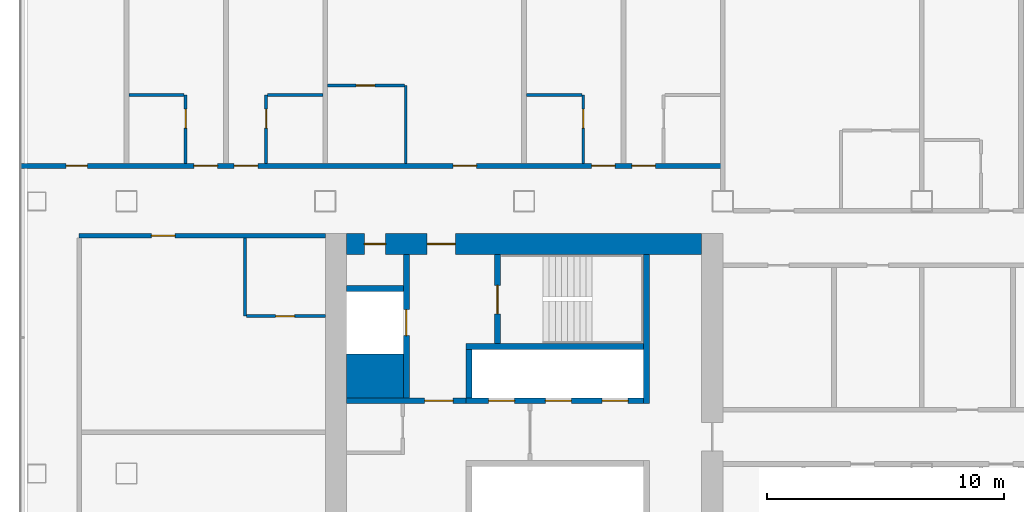
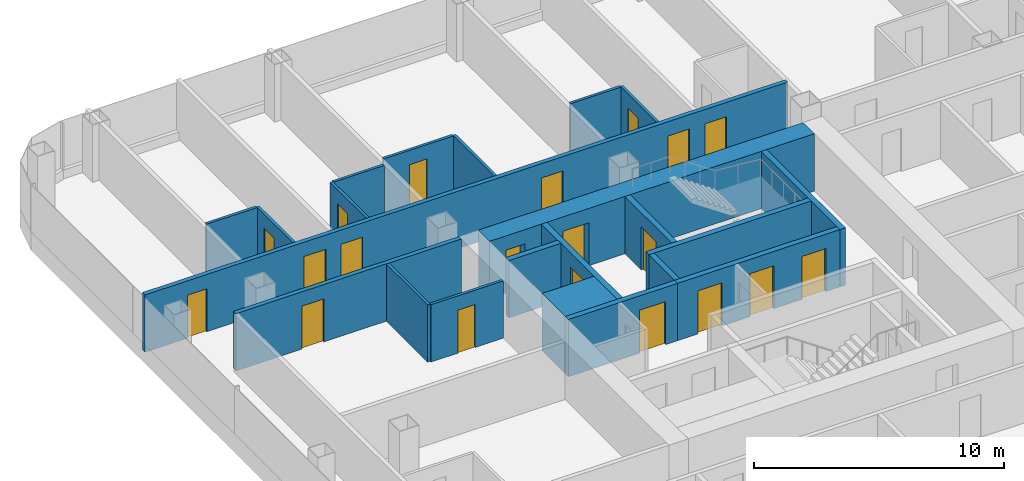
# One storey, part 16 of 29: 22 walls, 20 doors, 20 openings.
"""IFC4 building model written with IfcOpenShell, lengths in metres."""

from ifc_helpers import new_model, si_unit, direction, frame, frame_2d, origin, place, context, subcontext, project, spatial, rectangle, extrude, material, layer, layer_set, type_object, element, fill, save


model = new_model("IFC4")

# Units and contexts
model_context = context("Model", 3, precision=1e-05, world=origin(), true_north=direction((0.0, 1.0)))
body_context = subcontext(model_context, "Body", "Model", "MODEL_VIEW")
ifc_project = project(units=[si_unit("LENGTHUNIT", "METRE"), si_unit("AREAUNIT", "SQUARE_METRE"), si_unit("VOLUMEUNIT", "CUBIC_METRE"), si_unit("PLANEANGLEUNIT", "RADIAN"), si_unit("MASSUNIT", "GRAM", prefix="KILO")], contexts=[model_context])

# Site, building, storey
site_placement = place(None, origin())
site = spatial("IfcSite", under=ifc_project, at=site_placement, CompositionType="ELEMENT")
building_placement = place(site_placement, origin())
building = spatial("IfcBuilding", under=site, at=building_placement, Name="Hakoniwa Tower and Hamabe Station Hall", CompositionType="ELEMENT")
storey_placement = place(building_placement, frame((0.0, 0.0, 113.800048828125)))
storey = spatial("IfcBuildingStorey", under=building, at=storey_placement, Name="L32", CompositionType="ELEMENT", Elevation=113.800048828125)

# Wall, opening, door
ifc_material_1 = material(Name="Gypsum board partition", Category="gypsum")
ifc_layer_1 = layer(ifc_material_1, 0.125)
ifc_layer_set_1 = layer_set([ifc_layer_1], Name="Bathroom Partition 125")
wall_type_1 = type_object("IfcWallType", Name="Bathroom Partition 125", PredefinedType="PARTITIONING", material=ifc_layer_set_1)
wall_1_placement = place(storey_placement, frame((-36.9375, 4.89990234375, 0.0), z_axis=(0.0, 0.0, 1.0), x_axis=(1.0, 0.0, 0.0)))
wall_1 = element("IfcWall", 1, at=wall_1_placement, inside=storey, type_object=wall_type_1, Name="GW-L32-016", PredefinedType="PARTITIONING", context=body_context, shape_type="SweptSolid", body=[
    extrude(rectangle(XDim=3.33740234375, YDim=0.125, at=frame_2d((1.668701171875, 0.0))), origin(), (0.0, 0.0, 1.0), 2.800048828125),
])
opening_1_placement = place(wall_1_placement, frame((1.237548828125, 0.0, 0.0)))
opening_1 = element("IfcOpeningElement", 2, at=opening_1_placement, cuts=wall_1, Name="Opening GD-G2C2-28", PredefinedType="OPENING", context=body_context, shape_type="SweptSolid", body=[
    extrude(rectangle(XDim=0.800048828125, YDim=2.10009765625, at=frame_2d((0.39990234375, 1.050048828125))), frame((0.0, 0.072509765625, 0.0), z_axis=(0.0, -1.0, 0.0), x_axis=(1.0, 0.0, 0.0)), (0.0, 0.0, 1.0), 0.14501953125),
])
ifc_material_2 = material(Name="Timber door leaf", Category="wood")
door_type_1 = type_object("IfcDoorType", Name="Bathroom Door 800", OperationType="SINGLE_SWING_LEFT", PredefinedType="DOOR", material=ifc_material_2)
door_1_placement = place(opening_1_placement, origin())
door_1 = element("IfcDoor", 3, at=door_1_placement, inside=storey, type_object=door_type_1, Name="Door GD-G2C2-28", OperationType="SINGLE_SWING_RIGHT", OverallHeight=2.10009765625, OverallWidth=0.800048828125, PredefinedType="DOOR", context=body_context, shape_type="SweptSolid", body=[
    extrude(rectangle(XDim=0.800048828125, YDim=2.10009765625, at=frame_2d((0.39990234375, 1.050048828125))), frame((0.0, 0.02490234375, 0.0), z_axis=(0.0, -1.0, 0.0), x_axis=(1.0, 0.0, 0.0)), (0.0, 0.0, 1.0), 0.050048828125),
])
fill(opening_1, door_1)

# Walls
wall_2_placement = place(storey_placement, frame((-41.89990234375, 14.25, 0.0), z_axis=(0.0, 0.0, 1.0), x_axis=(1.0, 0.0, 0.0)))
element("IfcWall", 4, at=wall_2_placement, inside=storey, type_object=wall_type_1, Name="GW-L32-027", PredefinedType="PARTITIONING", context=body_context, shape_type="SweptSolid", body=[
    extrude(rectangle(XDim=2.33740234375, YDim=0.125, at=frame_2d((1.168701171875, 0.0))), origin(), (0.0, 0.0, 1.0), 2.800048828125),
])
for number, where, z_axis, x_axis, name in (
    (5, (-36.03759765625, 14.25, 0.0), (0.0, 0.0, 1.0), (1.0, 0.0, 0.0), "GW-L32-028"),
    (6, (-25.10009765625, 14.25, 0.0), (0.0, 0.0, 1.0), (1.0, 0.0, 0.0), "GW-L32-029"),
):
    element("IfcWall", number, at=place(storey_placement, frame(where, z_axis=z_axis, x_axis=x_axis)), inside=storey, type_object=wall_type_1, Name=name, PredefinedType="PARTITIONING", context=body_context, shape_type="SweptSolid", body=[
        extrude(rectangle(XDim=2.337646484375, YDim=0.125, at=frame_2d((1.1689453125, 0.0))), origin(), (0.0, 0.0, 1.0), 2.800048828125),
    ])

# Wall, opening, door
wall_3_placement = place(storey_placement, frame((-33.5, 14.64990234375, 0.0), z_axis=(0.0, 0.0, 1.0), x_axis=(1.0, 0.0, 0.0)))
wall_3 = element("IfcWall", 7, at=wall_3_placement, inside=storey, type_object=wall_type_1, Name="GW-L32-033", PredefinedType="PARTITIONING", context=body_context, shape_type="SweptSolid", body=[
    extrude(rectangle(XDim=3.237548828125, YDim=0.125, at=frame_2d((1.61865234375, 0.0))), origin(), (0.0, 0.0, 1.0), 2.800048828125),
])
opening_2_placement = place(wall_3_placement, frame((1.199951171875, 0.0, 0.0)))
opening_2 = element("IfcOpeningElement", 8, at=opening_2_placement, cuts=wall_3, Name="Opening GD-G2C2-53", PredefinedType="OPENING", context=body_context, shape_type="SweptSolid", body=[
    extrude(rectangle(XDim=0.800048828125, YDim=2.10009765625, at=frame_2d((0.39990234375, 1.050048828125))), frame((0.0, 0.072509765625, 0.0), z_axis=(0.0, -1.0, 0.0), x_axis=(1.0, 0.0, 0.0)), (0.0, 0.0, 1.0), 0.14501953125),
])
door_2_placement = place(opening_2_placement, origin())
door_2 = element("IfcDoor", 9, at=door_2_placement, inside=storey, type_object=door_type_1, Name="Door GD-G2C2-53", OperationType="SINGLE_SWING_LEFT", OverallHeight=2.10009765625, OverallWidth=0.800048828125, PredefinedType="DOOR", context=body_context, shape_type="SweptSolid", body=[
    extrude(rectangle(XDim=0.800048828125, YDim=2.10009765625, at=frame_2d((0.39990234375, 1.050048828125))), frame((0.0, 0.02490234375, 0.0), z_axis=(0.0, -1.0, 0.0), x_axis=(1.0, 0.0, 0.0)), (0.0, 0.0, 1.0), 0.050048828125),
])
fill(opening_2, door_2)

wall_4_placement = place(storey_placement, frame((-39.5, 11.35009765625, 0.0), z_axis=(0.0, 0.0, 1.0), x_axis=(0.0, 1.0, 0.0)))
wall_4 = element("IfcWall", 10, at=wall_4_placement, inside=storey, type_object=wall_type_1, Name="GW-L32-040", PredefinedType="PARTITIONING", context=body_context, shape_type="SweptSolid", body=[
    extrude(rectangle(XDim=2.89990234375, YDim=0.125, at=frame_2d((1.449951171875, 0.0))), origin(), (0.0, 0.0, 1.0), 2.800048828125),
])
opening_3_placement = place(wall_4_placement, frame((1.5, 0.0, 0.0)))
opening_3 = element("IfcOpeningElement", 11, at=opening_3_placement, cuts=wall_4, Name="Opening GD-G2C2-56", PredefinedType="OPENING", context=body_context, shape_type="SweptSolid", body=[
    extrude(rectangle(XDim=0.800048828125, YDim=2.10009765625, at=frame_2d((0.39990234375, 1.050048828125))), frame((0.0, 0.072509765625, 0.0), z_axis=(0.0, -1.0, 0.0), x_axis=(1.0, 0.0, 0.0)), (0.0, 0.0, 1.0), 0.14501953125),
])
door_3_placement = place(opening_3_placement, origin())
door_3 = element("IfcDoor", 12, at=door_3_placement, inside=storey, type_object=door_type_1, Name="Door GD-G2C2-56", OperationType="SINGLE_SWING_LEFT", OverallHeight=2.10009765625, OverallWidth=0.800048828125, PredefinedType="DOOR", context=body_context, shape_type="SweptSolid", body=[
    extrude(rectangle(XDim=0.800048828125, YDim=2.10009765625, at=frame_2d((0.39990234375, 1.050048828125))), frame((0.0, 0.02490234375, 0.0), z_axis=(0.0, -1.0, 0.0), x_axis=(1.0, 0.0, 0.0)), (0.0, 0.0, 1.0), 0.050048828125),
])
fill(opening_3, door_3)

# Wall
wall_5_placement = place(storey_placement, frame((-37.0, 4.89990234375, 0.0), z_axis=(0.0, 0.0, 1.0), x_axis=(0.0, 1.0, 0.0)))
element("IfcWall", 13, at=wall_5_placement, inside=storey, type_object=wall_type_1, Name="GW-L32-043", PredefinedType="PARTITIONING", context=body_context, shape_type="SweptSolid", body=[
    extrude(rectangle(XDim=3.300048828125, YDim=0.125, at=frame_2d((1.64990234375, 0.0))), origin(), (0.0, 0.0, 1.0), 2.800048828125),
])

# Wall, opening, door
wall_6_placement = place(storey_placement, frame((-36.10009765625, 11.35009765625, 0.0), z_axis=(0.0, 0.0, 1.0), x_axis=(0.0, 1.0, 0.0)))
wall_6 = element("IfcWall", 14, at=wall_6_placement, inside=storey, type_object=wall_type_1, Name="GW-L32-044", PredefinedType="PARTITIONING", context=body_context, shape_type="SweptSolid", body=[
    extrude(rectangle(XDim=2.89990234375, YDim=0.125, at=frame_2d((1.449951171875, 0.0))), origin(), (0.0, 0.0, 1.0), 2.800048828125),
])
opening_4_placement = place(wall_6_placement, frame((1.5, 0.0, 0.0)))
opening_4 = element("IfcOpeningElement", 15, at=opening_4_placement, cuts=wall_6, Name="Opening GD-G2C2-57", PredefinedType="OPENING", context=body_context, shape_type="SweptSolid", body=[
    extrude(rectangle(XDim=0.800048828125, YDim=2.10009765625, at=frame_2d((0.39990234375, 1.050048828125))), frame((0.0, 0.072509765625, 0.0), z_axis=(0.0, -1.0, 0.0), x_axis=(1.0, 0.0, 0.0)), (0.0, 0.0, 1.0), 0.14501953125),
])
door_4_placement = place(opening_4_placement, origin())
door_4 = element("IfcDoor", 16, at=door_4_placement, inside=storey, type_object=door_type_1, Name="Door GD-G2C2-57", OperationType="SINGLE_SWING_RIGHT", OverallHeight=2.10009765625, OverallWidth=0.800048828125, PredefinedType="DOOR", context=body_context, shape_type="SweptSolid", body=[
    extrude(rectangle(XDim=0.800048828125, YDim=2.10009765625, at=frame_2d((0.39990234375, 1.050048828125))), frame((0.0, 0.02490234375, 0.0), z_axis=(0.0, -1.0, 0.0), x_axis=(1.0, 0.0, 0.0)), (0.0, 0.0, 1.0), 0.050048828125),
])
fill(opening_4, door_4)

# Wall
wall_7_placement = place(storey_placement, frame((-30.199951171875, 11.35009765625, 0.0), z_axis=(0.0, 0.0, 1.0), x_axis=(0.0, 1.0, 0.0)))
element("IfcWall", 17, at=wall_7_placement, inside=storey, type_object=wall_type_1, Name="GW-L32-048", PredefinedType="PARTITIONING", context=body_context, shape_type="SweptSolid", body=[
    extrude(rectangle(XDim=3.2998046875, YDim=0.125, at=frame_2d((1.64990234375, 0.0))), origin(), (0.0, 0.0, 1.0), 2.800048828125),
])

# Wall, opening, door
wall_8_placement = place(storey_placement, frame((-22.699951171875, 11.35009765625, 0.0), z_axis=(0.0, 0.0, 1.0), x_axis=(0.0, 1.0, 0.0)))
wall_8 = element("IfcWall", 18, at=wall_8_placement, inside=storey, type_object=wall_type_1, Name="GW-L32-051", PredefinedType="PARTITIONING", context=body_context, shape_type="SweptSolid", body=[
    extrude(rectangle(XDim=2.89990234375, YDim=0.125, at=frame_2d((1.449951171875, 0.0))), origin(), (0.0, 0.0, 1.0), 2.800048828125),
])
opening_5_placement = place(wall_8_placement, frame((1.5, 0.0, 0.0)))
opening_5 = element("IfcOpeningElement", 19, at=opening_5_placement, cuts=wall_8, Name="Opening GD-G2C2-58", PredefinedType="OPENING", context=body_context, shape_type="SweptSolid", body=[
    extrude(rectangle(XDim=0.800048828125, YDim=2.10009765625, at=frame_2d((0.39990234375, 1.050048828125))), frame((0.0, 0.072509765625, 0.0), z_axis=(0.0, -1.0, 0.0), x_axis=(1.0, 0.0, 0.0)), (0.0, 0.0, 1.0), 0.14501953125),
])
door_5_placement = place(opening_5_placement, origin())
door_5 = element("IfcDoor", 20, at=door_5_placement, inside=storey, type_object=door_type_1, Name="Door GD-G2C2-58", OperationType="SINGLE_SWING_LEFT", OverallHeight=2.10009765625, OverallWidth=0.800048828125, PredefinedType="DOOR", context=body_context, shape_type="SweptSolid", body=[
    extrude(rectangle(XDim=0.800048828125, YDim=2.10009765625, at=frame_2d((0.39990234375, 1.050048828125))), frame((0.0, 0.02490234375, 0.0), z_axis=(0.0, -1.0, 0.0), x_axis=(1.0, 0.0, 0.0)), (0.0, 0.0, 1.0), 0.050048828125),
])
fill(opening_5, door_5)

# Wall, openings, doors
ifc_material_3 = material(Name="Concrete C72", Category="concrete")
ifc_layer_2 = layer(ifc_material_3, 0.89990234375)
ifc_layer_set_2 = layer_set([ifc_layer_2], Name="CORE WALL 900 C72")
wall_type_2 = type_object("IfcWallType", Name="CORE WALL 900 C72", PredefinedType="SHEAR", material=ifc_layer_set_2)
wall_9_placement = place(storey_placement, frame((-32.699951171875, 7.949951171875, 0.0), z_axis=(0.0, 0.0, 1.0), x_axis=(1.0, 0.0, 0.0)))
wall_9 = element("IfcWall", 21, at=wall_9_placement, inside=storey, type_object=wall_type_2, Name="Core wall NORTH west", PredefinedType="SHEAR", context=body_context, shape_type="SweptSolid", body=[
    extrude(rectangle(XDim=15.0, YDim=0.89990234375, at=frame_2d((7.5, 0.0))), origin(), (0.0, 0.0, 1.0), 2.800048828125),
])
opening_6_placement = place(wall_9_placement, frame((3.39990234375, 0.0, 0.0)))
opening_6 = element("IfcOpeningElement", 22, at=opening_6_placement, cuts=wall_9, Name="Opening CD-W-FN1-12", PredefinedType="OPENING", context=body_context, shape_type="SweptSolid", body=[
    extrude(rectangle(XDim=1.199951171875, YDim=2.10009765625, at=frame_2d((0.60009765625, 1.050048828125))), frame((0.0, 0.4599609375, 0.0), z_axis=(0.0, -1.0, 0.0), x_axis=(1.0, 0.0, 0.0)), (0.0, 0.0, 1.0), 0.919921875),
])
opening_7_placement = place(wall_9_placement, frame((0.75, 0.0, 0.0)))
opening_7 = element("IfcOpeningElement", 23, at=opening_7_placement, cuts=wall_9, Name="Opening CD-W-FN2-9", PredefinedType="OPENING", context=body_context, shape_type="SweptSolid", body=[
    extrude(rectangle(XDim=0.89990234375, YDim=2.10009765625, at=frame_2d((0.449951171875, 1.050048828125))), frame((0.0, 0.4599609375, 0.0), z_axis=(0.0, -1.0, 0.0), x_axis=(1.0, 0.0, 0.0)), (0.0, 0.0, 1.0), 0.919921875),
])
ifc_material_4 = material(Name="Steel fire door", Category="steel")
door_type_2 = type_object("IfcDoorType", Name="CORE DOOR 1200 FD60", OperationType="DOUBLE_DOOR_SINGLE_SWING", PredefinedType="DOOR", material=ifc_material_4)
door_6_placement = place(opening_6_placement, origin())
door_6 = element("IfcDoor", 24, at=door_6_placement, inside=storey, type_object=door_type_2, Name="Stair vestibule door to the fire-fighting lobby", OperationType="DOUBLE_DOOR_SINGLE_SWING", OverallHeight=2.10009765625, OverallWidth=1.199951171875, PredefinedType="DOOR", context=body_context, shape_type="SweptSolid", body=[
    extrude(rectangle(XDim=1.199951171875, YDim=2.10009765625, at=frame_2d((0.60009765625, 1.050048828125))), frame((0.0, 0.02490234375, 0.0), z_axis=(0.0, -1.0, 0.0), x_axis=(1.0, 0.0, 0.0)), (0.0, 0.0, 1.0), 0.050048828125),
])
fill(opening_6, door_6)
ifc_material_5 = material(Name="Steel fire door", Category="steel")
door_type_3 = type_object("IfcDoorType", Name="CORE DOOR 900 FD30", OperationType="NOTDEFINED", PredefinedType="DOOR", material=ifc_material_5)
door_7_placement = place(opening_7_placement, origin())
door_7 = element("IfcDoor", 25, at=door_7_placement, inside=storey, type_object=door_type_3, Name="Riser access door", OperationType="SINGLE_SWING_RIGHT", OverallHeight=2.10009765625, OverallWidth=0.89990234375, PredefinedType="DOOR", context=body_context, shape_type="SweptSolid", body=[
    extrude(rectangle(XDim=0.89990234375, YDim=2.10009765625, at=frame_2d((0.449951171875, 1.050048828125))), frame((0.0, 0.02490234375, 0.0), z_axis=(0.0, -1.0, 0.0), x_axis=(1.0, 0.0, 0.0)), (0.0, 0.0, 1.0), 0.050048828125),
])
fill(opening_7, door_7)

# Walls
ifc_material_6 = material(Name="Concrete C72", Category="concrete")
ifc_layer_3 = layer(ifc_material_6, 1.85009765625)
ifc_layer_set_3 = layer_set([ifc_layer_3], Name="CORE WEB WALL 1850 C72")
wall_type_3 = type_object("IfcWallType", Name="CORE WEB WALL 1850 C72", PredefinedType="SHEAR", material=ifc_layer_set_3)
wall_10_placement = place(storey_placement, frame((-32.699951171875, 2.375, 0.0), z_axis=(0.0, 0.0, 1.0), x_axis=(1.0, 0.0, 0.0)))
element("IfcWall", 26, at=wall_10_placement, inside=storey, type_object=wall_type_3, Name="Core wall CA west", PredefinedType="SHEAR", context=body_context, shape_type="SweptSolid", body=[
    extrude(rectangle(XDim=2.39990234375, YDim=1.85009765625, at=frame_2d((1.199951171875, 0.0))), origin(), (0.0, 0.0, 1.0), 2.800048828125),
])
ifc_material_7 = material(Name="Concrete C72", Category="concrete")
ifc_layer_4 = layer(ifc_material_7, 0.25)
ifc_layer_set_4 = layer_set([ifc_layer_4], Name="CORE WEB WALL 250 C72")
wall_type_4 = type_object("IfcWallType", Name="CORE WEB WALL 250 C72", PredefinedType="SHEAR", material=ifc_layer_set_4)
wall_11_placement = place(storey_placement, frame((-20.02490234375, 1.199951171875, 0.0), z_axis=(0.0, 0.0, 1.0), x_axis=(0.0, 1.0, 0.0)))
element("IfcWall", 27, at=wall_11_placement, inside=storey, type_object=wall_type_4, Name="Core wall W1N west", PredefinedType="SHEAR", context=body_context, shape_type="SweptSolid", body=[
    extrude(rectangle(XDim=6.300048828125, YDim=0.25, at=frame_2d((3.14990234375, 0.0))), origin(), (0.0, 0.0, 1.0), 2.800048828125),
])

# Wall, openings, doors
wall_12_placement = place(storey_placement, frame((-27.64990234375, 1.324951171875, 0.0), z_axis=(0.0, 0.0, 1.0), x_axis=(1.0, 0.0, 0.0)))
wall_12 = element("IfcWall", 28, at=wall_12_placement, inside=storey, type_object=wall_type_4, Name="Core wall NF west", PredefinedType="SHEAR", context=body_context, shape_type="SweptSolid", body=[
    extrude(rectangle(XDim=7.5, YDim=0.25, at=frame_2d((3.75, 0.0))), origin(), (0.0, 0.0, 1.0), 2.800048828125),
])
opening_8_placement = place(wall_12_placement, frame((5.75, 0.0, 0.0)))
opening_8 = element("IfcOpeningElement", 29, at=opening_8_placement, cuts=wall_12, Name="Opening LD-LR1", PredefinedType="OPENING", context=body_context, shape_type="SweptSolid", body=[
    extrude(rectangle(XDim=1.10009765625, YDim=2.10009765625, at=frame_2d((0.550048828125, 1.050048828125))), frame((0.0, 0.135009765625, 0.0), z_axis=(0.0, -1.0, 0.0), x_axis=(1.0, 0.0, 0.0)), (0.0, 0.0, 1.0), 0.27001953125),
])
opening_9_placement = place(wall_12_placement, frame((3.35009765625, 0.0, 0.0)))
opening_9 = element("IfcOpeningElement", 30, at=opening_9_placement, cuts=wall_12, Name="Opening LD-LR2", PredefinedType="OPENING", context=body_context, shape_type="SweptSolid", body=[
    extrude(rectangle(XDim=1.10009765625, YDim=2.10009765625, at=frame_2d((0.550048828125, 1.050048828125))), frame((0.0, 0.135009765625, 0.0), z_axis=(0.0, -1.0, 0.0), x_axis=(1.0, 0.0, 0.0)), (0.0, 0.0, 1.0), 0.27001953125),
])
opening_10_placement = place(wall_12_placement, frame((0.949951171875, 0.0, 0.0)))
opening_10 = element("IfcOpeningElement", 31, at=opening_10_placement, cuts=wall_12, Name="Opening LD-LR3", PredefinedType="OPENING", context=body_context, shape_type="SweptSolid", body=[
    extrude(rectangle(XDim=1.10009765625, YDim=2.10009765625, at=frame_2d((0.550048828125, 1.050048828125))), frame((0.0, 0.135009765625, 0.0), z_axis=(0.0, -1.0, 0.0), x_axis=(1.0, 0.0, 0.0)), (0.0, 0.0, 1.0), 0.27001953125),
])
ifc_material_8 = material(Name="Stainless steel SUS304", Category="steel")
door_type_4 = type_object("IfcDoorType", Name="LIFT LANDING DOOR 1100 FD60", OperationType="DOUBLE_DOOR_SLIDING", PredefinedType="DOOR", material=ifc_material_8)
door_8_placement = place(opening_8_placement, origin())
door_8 = element("IfcDoor", 32, at=door_8_placement, inside=storey, type_object=door_type_4, Name="Lift landing door LR1 L32", OperationType="DOUBLE_DOOR_SLIDING", OverallHeight=2.10009765625, OverallWidth=1.10009765625, PredefinedType="DOOR", context=body_context, shape_type="SweptSolid", body=[
    extrude(rectangle(XDim=1.10009765625, YDim=2.10009765625, at=frame_2d((0.550048828125, 1.050048828125))), frame((0.0, 0.02490234375, 0.0), z_axis=(0.0, -1.0, 0.0), x_axis=(1.0, 0.0, 0.0)), (0.0, 0.0, 1.0), 0.050048828125),
])
fill(opening_8, door_8)
door_9_placement = place(opening_9_placement, origin())
door_9 = element("IfcDoor", 33, at=door_9_placement, inside=storey, type_object=door_type_4, Name="Lift landing door LR2 L32", OperationType="DOUBLE_DOOR_SLIDING", OverallHeight=2.10009765625, OverallWidth=1.10009765625, PredefinedType="DOOR", context=body_context, shape_type="SweptSolid", body=[
    extrude(rectangle(XDim=1.10009765625, YDim=2.10009765625, at=frame_2d((0.550048828125, 1.050048828125))), frame((0.0, 0.02490234375, 0.0), z_axis=(0.0, -1.0, 0.0), x_axis=(1.0, 0.0, 0.0)), (0.0, 0.0, 1.0), 0.050048828125),
])
fill(opening_9, door_9)
door_10_placement = place(opening_10_placement, origin())
door_10 = element("IfcDoor", 34, at=door_10_placement, inside=storey, type_object=door_type_4, Name="Lift landing door LR3 L32", OperationType="DOUBLE_DOOR_SLIDING", OverallHeight=2.10009765625, OverallWidth=1.10009765625, PredefinedType="DOOR", context=body_context, shape_type="SweptSolid", body=[
    extrude(rectangle(XDim=1.10009765625, YDim=2.10009765625, at=frame_2d((0.550048828125, 1.050048828125))), frame((0.0, 0.02490234375, 0.0), z_axis=(0.0, -1.0, 0.0), x_axis=(1.0, 0.0, 0.0)), (0.0, 0.0, 1.0), 0.050048828125),
])
fill(opening_10, door_10)

# Walls
wall_13_placement = place(storey_placement, frame((-27.52490234375, 1.449951171875, 0.0), z_axis=(0.0, 0.0, 1.0), x_axis=(0.0, 1.0, 0.0)))
element("IfcWall", 35, at=wall_13_placement, inside=storey, type_object=wall_type_4, Name="Core wall NE west", PredefinedType="SHEAR", context=body_context, shape_type="SweptSolid", body=[
    extrude(rectangle(XDim=2.050048828125, YDim=0.25, at=frame_2d((1.02490234375, 0.0))), origin(), (0.0, 0.0, 1.0), 2.800048828125),
])
wall_14_placement = place(storey_placement, frame((-27.64990234375, 3.625, 0.0), z_axis=(0.0, 0.0, 1.0), x_axis=(1.0, 0.0, 0.0)))
element("IfcWall", 36, at=wall_14_placement, inside=storey, type_object=wall_type_4, Name="Core wall NR west", PredefinedType="SHEAR", context=body_context, shape_type="SweptSolid", body=[
    extrude(rectangle(XDim=7.5, YDim=0.25, at=frame_2d((3.75, 0.0))), origin(), (0.0, 0.0, 1.0), 2.800048828125),
])

# Wall, opening, door
wall_15_placement = place(storey_placement, frame((-26.324951171875, 3.75, 0.0), z_axis=(0.0, 0.0, 1.0), x_axis=(0.0, 1.0, 0.0)))
wall_15 = element("IfcWall", 37, at=wall_15_placement, inside=storey, type_object=wall_type_4, Name="Core wall NSE west", PredefinedType="SHEAR", context=body_context, shape_type="SweptSolid", body=[
    extrude(rectangle(XDim=3.75, YDim=0.25, at=frame_2d((1.875, 0.0))), origin(), (0.0, 0.0, 1.0), 2.800048828125),
])
opening_11_placement = place(wall_15_placement, frame((1.25, 0.0, 0.0)))
opening_11 = element("IfcOpeningElement", 38, at=opening_11_placement, cuts=wall_15, Name="Opening CD-W-SN-12", PredefinedType="OPENING", context=body_context, shape_type="SweptSolid", body=[
    extrude(rectangle(XDim=1.199951171875, YDim=2.10009765625, at=frame_2d((0.60009765625, 1.050048828125))), frame((0.0, 0.135009765625, 0.0), z_axis=(0.0, -1.0, 0.0), x_axis=(1.0, 0.0, 0.0)), (0.0, 0.0, 1.0), 0.27001953125),
])
door_11_placement = place(opening_11_placement, origin())
door_11 = element("IfcDoor", 39, at=door_11_placement, inside=storey, type_object=door_type_2, Name="Escape stair door", OperationType="DOUBLE_DOOR_SINGLE_SWING", OverallHeight=2.10009765625, OverallWidth=1.199951171875, PredefinedType="DOOR", context=body_context, shape_type="SweptSolid", body=[
    extrude(rectangle(XDim=1.199951171875, YDim=2.10009765625, at=frame_2d((0.60009765625, 1.050048828125))), frame((0.0, 0.02490234375, 0.0), z_axis=(0.0, -1.0, 0.0), x_axis=(1.0, 0.0, 0.0)), (0.0, 0.0, 1.0), 0.050048828125),
])
fill(opening_11, door_11)

wall_16_placement = place(storey_placement, frame((-32.699951171875, 1.324951171875, 0.0), z_axis=(0.0, 0.0, 1.0), x_axis=(1.0, 0.0, 0.0)))
wall_16 = element("IfcWall", 40, at=wall_16_placement, inside=storey, type_object=wall_type_4, Name="Core wall ELN west", PredefinedType="SHEAR", context=body_context, shape_type="SweptSolid", body=[
    extrude(rectangle(XDim=5.050048828125, YDim=0.25, at=frame_2d((2.52490234375, 0.0))), origin(), (0.0, 0.0, 1.0), 2.800048828125),
])
opening_12_placement = place(wall_16_placement, frame((3.300048828125, 0.0, 0.0)))
opening_12 = element("IfcOpeningElement", 41, at=opening_12_placement, cuts=wall_16, Name="Opening CD-W-FL-12", PredefinedType="OPENING", context=body_context, shape_type="SweptSolid", body=[
    extrude(rectangle(XDim=1.199951171875, YDim=2.10009765625, at=frame_2d((0.60009765625, 1.050048828125))), frame((0.0, 0.135009765625, 0.0), z_axis=(0.0, -1.0, 0.0), x_axis=(1.0, 0.0, 0.0)), (0.0, 0.0, 1.0), 0.27001953125),
])
door_12_placement = place(opening_12_placement, origin())
door_12 = element("IfcDoor", 42, at=door_12_placement, inside=storey, type_object=door_type_2, Name="Stair vestibule door to the fire-fighting lobby", OperationType="DOUBLE_DOOR_SINGLE_SWING", OverallHeight=2.10009765625, OverallWidth=1.199951171875, PredefinedType="DOOR", context=body_context, shape_type="SweptSolid", body=[
    extrude(rectangle(XDim=1.199951171875, YDim=2.10009765625, at=frame_2d((0.60009765625, 1.050048828125))), frame((0.0, 0.02490234375, 0.0), z_axis=(0.0, -1.0, 0.0), x_axis=(1.0, 0.0, 0.0)), (0.0, 0.0, 1.0), 0.050048828125),
])
fill(opening_12, door_12)

wall_17_placement = place(storey_placement, frame((-30.175048828125, 1.449951171875, 0.0), z_axis=(0.0, 0.0, 1.0), x_axis=(0.0, 1.0, 0.0)))
wall_17 = element("IfcWall", 43, at=wall_17_placement, inside=storey, type_object=wall_type_4, Name="Core wall FFF west", PredefinedType="SHEAR", context=body_context, shape_type="SweptSolid", body=[
    extrude(rectangle(XDim=6.050048828125, YDim=0.25, at=frame_2d((3.02490234375, 0.0))), origin(), (0.0, 0.0, 1.0), 2.800048828125),
])
opening_13_placement = place(wall_17_placement, frame((2.625, 0.0, 0.0)))
opening_13 = element("IfcOpeningElement", 44, at=opening_13_placement, cuts=wall_17, Name="Opening LD-FF1", PredefinedType="OPENING", context=body_context, shape_type="SweptSolid", body=[
    extrude(rectangle(XDim=1.10009765625, YDim=2.10009765625, at=frame_2d((0.550048828125, 1.050048828125))), frame((0.0, 0.135009765625, 0.0), z_axis=(0.0, -1.0, 0.0), x_axis=(1.0, 0.0, 0.0)), (0.0, 0.0, 1.0), 0.27001953125),
])
door_13_placement = place(opening_13_placement, origin())
door_13 = element("IfcDoor", 45, at=door_13_placement, inside=storey, type_object=door_type_4, Name="Lift landing door FF1 L32", OperationType="DOUBLE_DOOR_SLIDING", OverallHeight=2.10009765625, OverallWidth=1.10009765625, PredefinedType="DOOR", context=body_context, shape_type="SweptSolid", body=[
    extrude(rectangle(XDim=1.10009765625, YDim=2.10009765625, at=frame_2d((0.550048828125, 1.050048828125))), frame((0.0, 0.02490234375, 0.0), z_axis=(0.0, -1.0, 0.0), x_axis=(1.0, 0.0, 0.0)), (0.0, 0.0, 1.0), 0.050048828125),
])
fill(opening_13, door_13)

# Wall
wall_18_placement = place(storey_placement, frame((-32.699951171875, 6.074951171875, 0.0), z_axis=(0.0, 0.0, 1.0), x_axis=(1.0, 0.0, 0.0)))
element("IfcWall", 46, at=wall_18_placement, inside=storey, type_object=wall_type_4, Name="Core wall C2 west", PredefinedType="SHEAR", context=body_context, shape_type="SweptSolid", body=[
    extrude(rectangle(XDim=2.39990234375, YDim=0.25, at=frame_2d((1.199951171875, 0.0))), origin(), (0.0, 0.0, 1.0), 2.800048828125),
])

# Wall, opening, door
ifc_material_9 = material(Name="Fire-rated gypsum board partition", Category="gypsum")
ifc_layer_5 = layer(ifc_material_9, 0.199951171875)
ifc_layer_set_5 = layer_set([ifc_layer_5], Name="Corridor Wall 200")
wall_type_5 = type_object("IfcWallType", Name="Corridor Wall 200", PredefinedType="PARTITIONING", material=ifc_layer_set_5)
wall_19_placement = place(storey_placement, frame((-44.0, 8.300048828125, 0.0), z_axis=(0.0, 0.0, 1.0), x_axis=(1.0, 0.0, 0.0)))
wall_19 = element("IfcWall", 47, at=wall_19_placement, inside=storey, type_object=wall_type_5, Name="GW-L32-019", PredefinedType="PARTITIONING", context=body_context, shape_type="SweptSolid", body=[
    extrude(rectangle(XDim=10.39990234375, YDim=0.199951171875, at=frame_2d((5.199951171875, 0.0))), origin(), (0.0, 0.0, 1.0), 2.800048828125),
])
opening_14_placement = place(wall_19_placement, frame((3.050048828125, 0.0, 0.0)))
opening_14 = element("IfcOpeningElement", 48, at=opening_14_placement, cuts=wall_19, Name="Opening GD-G2C2-34", PredefinedType="OPENING", context=body_context, shape_type="SweptSolid", body=[
    extrude(rectangle(XDim=1.0, YDim=2.10009765625, at=frame_2d((0.5, 1.050048828125))), frame((0.0, 0.10986328125, 0.0), z_axis=(0.0, -1.0, 0.0), x_axis=(1.0, 0.0, 0.0)), (0.0, 0.0, 1.0), 0.219970703125),
])
ifc_material_10 = material(Name="Timber door leaf", Category="wood")
door_type_5 = type_object("IfcDoorType", Name="Guest Entrance Door 1000", OperationType="SINGLE_SWING_LEFT", PredefinedType="DOOR", material=ifc_material_10)
door_14_placement = place(opening_14_placement, origin())
door_14 = element("IfcDoor", 49, at=door_14_placement, inside=storey, type_object=door_type_5, Name="Door GD-G2C2-34", OperationType="SINGLE_SWING_RIGHT", OverallHeight=2.10009765625, OverallWidth=1.0, PredefinedType="DOOR", context=body_context, shape_type="SweptSolid", body=[
    extrude(rectangle(XDim=1.0, YDim=2.10009765625, at=frame_2d((0.5, 1.050048828125))), frame((0.0, 0.02490234375, 0.0), z_axis=(0.0, -1.0, 0.0), x_axis=(1.0, 0.0, 0.0)), (0.0, 0.0, 1.0), 0.050048828125),
])
fill(opening_14, door_14)

# Wall, openings, doors
wall_20_placement = place(storey_placement, frame((-46.5, 11.25, 0.0), z_axis=(0.0, 0.0, 1.0), x_axis=(1.0, 0.0, 0.0)))
wall_20 = element("IfcWall", 50, at=wall_20_placement, inside=storey, type_object=wall_type_5, Name="GW-L32-022", PredefinedType="PARTITIONING", context=body_context, shape_type="SweptSolid", body=[
    extrude(rectangle(XDim=29.699951171875, YDim=0.199951171875, at=frame_2d((14.85009765625, 0.0))), origin(), (0.0, 0.0, 1.0), 2.800048828125),
])
opening_15_placement = place(wall_20_placement, frame((1.949951171875, 0.0, 0.0)))
opening_15 = element("IfcOpeningElement", 51, at=opening_15_placement, cuts=wall_20, Name="Opening GD-G2C2-41", PredefinedType="OPENING", context=body_context, shape_type="SweptSolid", body=[
    extrude(rectangle(XDim=0.89990234375, YDim=2.10009765625, at=frame_2d((0.449951171875, 1.050048828125))), frame((0.0, 0.10986328125, 0.0), z_axis=(0.0, -1.0, 0.0), x_axis=(1.0, 0.0, 0.0)), (0.0, 0.0, 1.0), 0.219970703125),
])
opening_16_placement = place(wall_20_placement, frame((7.35009765625, 0.0, 0.0)))
opening_16 = element("IfcOpeningElement", 52, at=opening_16_placement, cuts=wall_20, Name="Opening GD-G2C2-42", PredefinedType="OPENING", context=body_context, shape_type="SweptSolid", body=[
    extrude(rectangle(XDim=1.0, YDim=2.10009765625, at=frame_2d((0.5, 1.050048828125))), frame((0.0, 0.10986328125, 0.0), z_axis=(0.0, -1.0, 0.0), x_axis=(1.0, 0.0, 0.0)), (0.0, 0.0, 1.0), 0.219970703125),
])
opening_17_placement = place(wall_20_placement, frame((9.050048828125, 0.0, 0.0)))
opening_17 = element("IfcOpeningElement", 53, at=opening_17_placement, cuts=wall_20, Name="Opening GD-G2C2-43", PredefinedType="OPENING", context=body_context, shape_type="SweptSolid", body=[
    extrude(rectangle(XDim=1.0, YDim=2.10009765625, at=frame_2d((0.5, 1.050048828125))), frame((0.0, 0.10986328125, 0.0), z_axis=(0.0, -1.0, 0.0), x_axis=(1.0, 0.0, 0.0)), (0.0, 0.0, 1.0), 0.219970703125),
])
opening_18_placement = place(wall_20_placement, frame((18.300048828125, 0.0, 0.0)))
opening_18 = element("IfcOpeningElement", 54, at=opening_18_placement, cuts=wall_20, Name="Opening GD-G2C2-44", PredefinedType="OPENING", context=body_context, shape_type="SweptSolid", body=[
    extrude(rectangle(XDim=1.0, YDim=2.10009765625, at=frame_2d((0.5, 1.050048828125))), frame((0.0, 0.10986328125, 0.0), z_axis=(0.0, -1.0, 0.0), x_axis=(1.0, 0.0, 0.0)), (0.0, 0.0, 1.0), 0.219970703125),
])
opening_19_placement = place(wall_20_placement, frame((24.14990234375, 0.0, 0.0)))
opening_19 = element("IfcOpeningElement", 55, at=opening_19_placement, cuts=wall_20, Name="Opening GD-G2C2-45", PredefinedType="OPENING", context=body_context, shape_type="SweptSolid", body=[
    extrude(rectangle(XDim=1.0, YDim=2.10009765625, at=frame_2d((0.5, 1.050048828125))), frame((0.0, 0.10986328125, 0.0), z_axis=(0.0, -1.0, 0.0), x_axis=(1.0, 0.0, 0.0)), (0.0, 0.0, 1.0), 0.219970703125),
])
opening_20_placement = place(wall_20_placement, frame((25.85009765625, 0.0, 0.0)))
opening_20 = element("IfcOpeningElement", 56, at=opening_20_placement, cuts=wall_20, Name="Opening GD-G2C2-46", PredefinedType="OPENING", context=body_context, shape_type="SweptSolid", body=[
    extrude(rectangle(XDim=1.0, YDim=2.10009765625, at=frame_2d((0.5, 1.050048828125))), frame((0.0, 0.10986328125, 0.0), z_axis=(0.0, -1.0, 0.0), x_axis=(1.0, 0.0, 0.0)), (0.0, 0.0, 1.0), 0.219970703125),
])
door_15_placement = place(opening_16_placement, origin())
door_15 = element("IfcDoor", 57, at=door_15_placement, inside=storey, type_object=door_type_5, Name="Door GD-G2C2-42", OperationType="SINGLE_SWING_RIGHT", OverallHeight=2.10009765625, OverallWidth=1.0, PredefinedType="DOOR", context=body_context, shape_type="SweptSolid", body=[
    extrude(rectangle(XDim=1.0, YDim=2.10009765625, at=frame_2d((0.5, 1.050048828125))), frame((0.0, 0.02490234375, 0.0), z_axis=(0.0, -1.0, 0.0), x_axis=(1.0, 0.0, 0.0)), (0.0, 0.0, 1.0), 0.050048828125),
])
fill(opening_16, door_15)
door_16_placement = place(opening_17_placement, origin())
door_16 = element("IfcDoor", 58, at=door_16_placement, inside=storey, type_object=door_type_5, Name="Door GD-G2C2-43", OperationType="SINGLE_SWING_LEFT", OverallHeight=2.10009765625, OverallWidth=1.0, PredefinedType="DOOR", context=body_context, shape_type="SweptSolid", body=[
    extrude(rectangle(XDim=1.0, YDim=2.10009765625, at=frame_2d((0.5, 1.050048828125))), frame((0.0, 0.02490234375, 0.0), z_axis=(0.0, -1.0, 0.0), x_axis=(1.0, 0.0, 0.0)), (0.0, 0.0, 1.0), 0.050048828125),
])
fill(opening_17, door_16)
door_17_placement = place(opening_18_placement, origin())
door_17 = element("IfcDoor", 59, at=door_17_placement, inside=storey, type_object=door_type_5, Name="Door GD-G2C2-44", OperationType="SINGLE_SWING_RIGHT", OverallHeight=2.10009765625, OverallWidth=1.0, PredefinedType="DOOR", context=body_context, shape_type="SweptSolid", body=[
    extrude(rectangle(XDim=1.0, YDim=2.10009765625, at=frame_2d((0.5, 1.050048828125))), frame((0.0, 0.02490234375, 0.0), z_axis=(0.0, -1.0, 0.0), x_axis=(1.0, 0.0, 0.0)), (0.0, 0.0, 1.0), 0.050048828125),
])
fill(opening_18, door_17)
door_18_placement = place(opening_19_placement, origin())
door_18 = element("IfcDoor", 60, at=door_18_placement, inside=storey, type_object=door_type_5, Name="Door GD-G2C2-45", OperationType="SINGLE_SWING_LEFT", OverallHeight=2.10009765625, OverallWidth=1.0, PredefinedType="DOOR", context=body_context, shape_type="SweptSolid", body=[
    extrude(rectangle(XDim=1.0, YDim=2.10009765625, at=frame_2d((0.5, 1.050048828125))), frame((0.0, 0.02490234375, 0.0), z_axis=(0.0, -1.0, 0.0), x_axis=(1.0, 0.0, 0.0)), (0.0, 0.0, 1.0), 0.050048828125),
])
fill(opening_19, door_18)
door_19_placement = place(opening_20_placement, origin())
door_19 = element("IfcDoor", 61, at=door_19_placement, inside=storey, type_object=door_type_5, Name="Door GD-G2C2-46", OperationType="SINGLE_SWING_RIGHT", OverallHeight=2.10009765625, OverallWidth=1.0, PredefinedType="DOOR", context=body_context, shape_type="SweptSolid", body=[
    extrude(rectangle(XDim=1.0, YDim=2.10009765625, at=frame_2d((0.5, 1.050048828125))), frame((0.0, 0.02490234375, 0.0), z_axis=(0.0, -1.0, 0.0), x_axis=(1.0, 0.0, 0.0)), (0.0, 0.0, 1.0), 0.050048828125),
])
fill(opening_20, door_19)
ifc_material_11 = material(Name="Timber door leaf", Category="wood")
door_type_6 = type_object("IfcDoorType", Name="Service Door 900", OperationType="SINGLE_SWING_LEFT", PredefinedType="DOOR", material=ifc_material_11)
door_20_placement = place(opening_15_placement, origin())
door_20 = element("IfcDoor", 62, at=door_20_placement, inside=storey, type_object=door_type_6, Name="Door GD-G2C2-41", OperationType="SINGLE_SWING_LEFT", OverallHeight=2.10009765625, OverallWidth=0.89990234375, PredefinedType="DOOR", context=body_context, shape_type="SweptSolid", body=[
    extrude(rectangle(XDim=0.89990234375, YDim=2.10009765625, at=frame_2d((0.449951171875, 1.050048828125))), frame((0.0, 0.02490234375, 0.0), z_axis=(0.0, -1.0, 0.0), x_axis=(1.0, 0.0, 0.0)), (0.0, 0.0, 1.0), 0.050048828125),
])
fill(opening_15, door_20)

save(model, "model.ifc")
